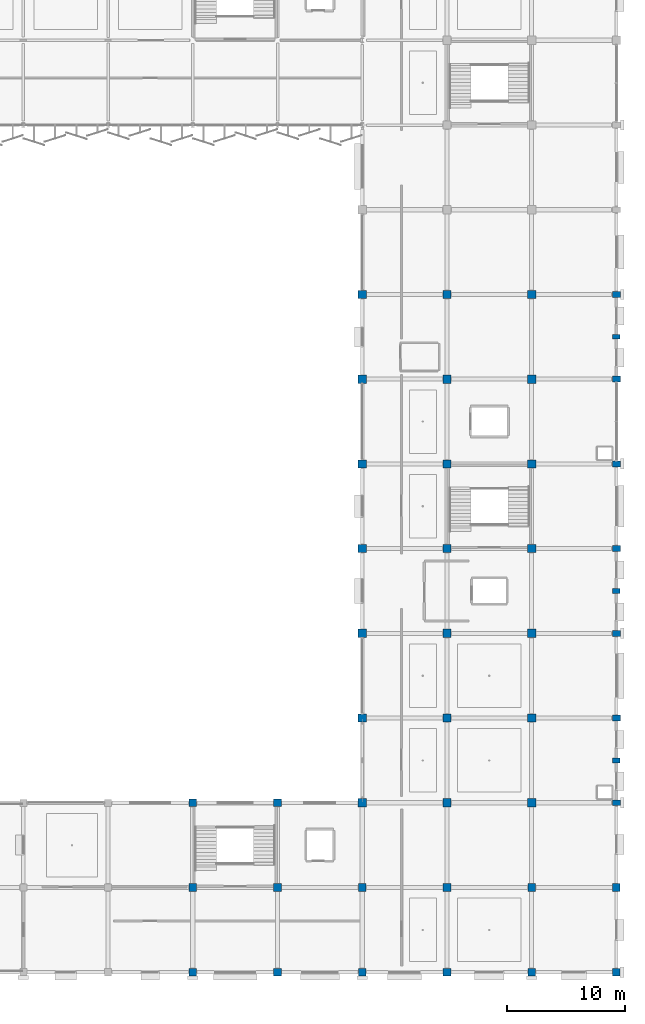
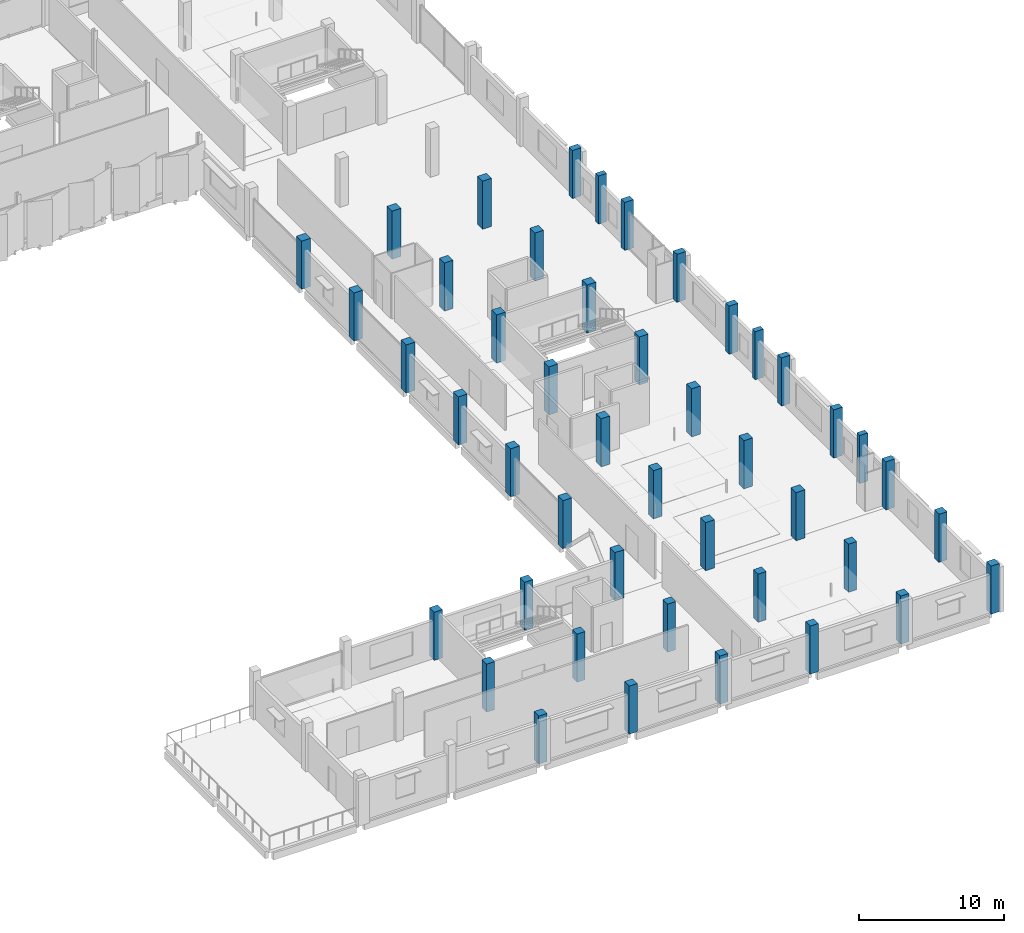
# One storey, part 4 of 91: 45 columns.
"""IFC4 building model written with IfcOpenShell, lengths in metres."""

from ifc_helpers import new_model, si_unit, direction, frame, origin, origin_2d, place, context, subcontext, project, spatial, rectangle, extrude, material, material_profile, profile_set, type_object, element, save


model = new_model("IFC4")

# Units and contexts
model_context = context("Model", 3, precision=1e-05, world=origin(), true_north=direction((0.0, 1.0)))
body_context = subcontext(model_context, "Body", "Model", "MODEL_VIEW")
ifc_project = project(units=[si_unit("LENGTHUNIT", "METRE"), si_unit("AREAUNIT", "SQUARE_METRE"), si_unit("VOLUMEUNIT", "CUBIC_METRE"), si_unit("PLANEANGLEUNIT", "RADIAN"), si_unit("MASSUNIT", "GRAM", prefix="KILO")], contexts=[model_context])

# Site, building, storey
site_placement = place(None, origin())
site = spatial("IfcSite", under=ifc_project, at=site_placement, CompositionType="ELEMENT")
building_placement = place(site_placement, origin())
building = spatial("IfcBuilding", under=site, at=building_placement, Name="Kangsadwip Square Police Headquarters", CompositionType="ELEMENT")
storey_placement = place(building_placement, frame((0.0, 0.0, 13.5)))
storey = spatial("IfcBuildingStorey", under=building, at=storey_placement, Name="L03", CompositionType="ELEMENT", Elevation=13.5)

# Columns
ifc_material_1 = material(Name="Concrete M40 (40 MPa)", Category="concrete")
ifc_material_profile_1 = material_profile(ifc_material_1, rectangle(XDim=0.64990234375, YDim=0.64990234375, at=origin_2d()), Name="RC COL 650X650")
ifc_profile_set_1 = profile_set([ifc_material_profile_1], Name="Concrete M40 (40 MPa)")
column_type_1 = type_object("IfcColumnType", Name="RcCol650x650", PredefinedType="COLUMN", material=ifc_profile_set_1)
for number, where, z_axis, x_axis, name in (
    (1, (129.60009765625, 21.60009765625, 0.0), (0.0, 0.0, 1.0), (1.0, 0.0, 0.0), "Column COL-L03-18-03"),
    (2, (129.60009765625, 28.800048828125, 0.0), (0.0, 0.0, 1.0), (1.0, 0.0, 0.0), "Column COL-L03-18-04"),
    (3, (129.60009765625, 36.0, 0.0), (0.0, 0.0, 1.0), (1.0, 0.0, 0.0), "Column COL-L03-18-05"),
    (4, (136.800048828125, 21.60009765625, 0.0), (0.0, 0.0, 1.0), (1.0, 0.0, 0.0), "Column COL-L03-19-03"),
    (5, (136.800048828125, 28.800048828125, 0.0), (0.0, 0.0, 1.0), (1.0, 0.0, 0.0), "Column COL-L03-19-04"),
    (6, (136.800048828125, 36.0, 0.0), (0.0, 0.0, 1.0), (1.0, 0.0, 0.0), "Column COL-L03-19-05"),
    (7, (144.0, 21.60009765625, 0.0), (0.0, 0.0, 1.0), (1.0, 0.0, 0.0), "Column COL-L03-20-03"),
    (8, (144.0, 28.800048828125, 0.0), (0.0, 0.0, 1.0), (1.0, 0.0, 0.0), "Column COL-L03-20-04"),
    (9, (151.199951171875, 21.60009765625, 0.0), (0.0, 0.0, 1.0), (1.0, 0.0, 0.0), "Column COL-L03-21-03"),
    (10, (151.199951171875, 28.800048828125, 0.0), (0.0, 0.0, 1.0), (1.0, 0.0, 0.0), "Column COL-L03-21-04"),
    (11, (158.39990234375, 21.60009765625, 0.0), (0.0, 0.0, 1.0), (1.0, 0.0, 0.0), "Column COL-L03-22-03"),
    (12, (158.39990234375, 28.800048828125, 0.0), (0.0, 0.0, 1.0), (1.0, 0.0, 0.0), "Column COL-L03-22-04"),
    (13, (165.60009765625, 21.60009765625, 0.0), (0.0, 0.0, 1.0), (1.0, 0.0, 0.0), "Column COL-L03-23-03"),
    (14, (165.60009765625, 28.800048828125, 0.0), (0.0, 0.0, 1.0), (1.0, 0.0, 0.0), "Column COL-L03-23-04"),
):
    element("IfcColumn", number, at=place(storey_placement, frame(where, z_axis=z_axis, x_axis=x_axis)), inside=storey, type_object=column_type_1, Name=name, PredefinedType="COLUMN", context=body_context, shape_type="SweptSolid", body=[
        extrude(rectangle(XDim=0.64990234375, YDim=0.64990234375, at=origin_2d()), origin(), (0.0, 0.0, 1.0), 4.050048828125),
    ])
ifc_material_2 = material(Name="Concrete M35 (35 MPa)", Category="concrete")
ifc_material_profile_2 = material_profile(ifc_material_2, rectangle(XDim=0.5, YDim=0.699951171875, at=origin_2d()), Name="RC COL 700X500")
ifc_profile_set_2 = profile_set([ifc_material_profile_2], Name="Concrete M35 (35 MPa)")
column_type_2 = type_object("IfcColumnType", Name="RcCol700x500", PredefinedType="COLUMN", material=ifc_profile_set_2)
for number, where, z_axis, x_axis, name in (
    (15, (165.60009765625, 36.0, 0.0), (0.0, 0.0, 1.0), (0.0, 1.0, 0.0), "Column COL-L03-23-05"),
    (16, (165.60009765625, 43.199951171875, 0.0), (0.0, 0.0, 1.0), (0.0, 1.0, 0.0), "Column COL-L03-23-06"),
    (17, (165.60009765625, 50.39990234375, 0.0), (0.0, 0.0, 1.0), (0.0, 1.0, 0.0), "Column COL-L03-23-07"),
    (18, (165.60009765625, 57.60009765625, 0.0), (0.0, 0.0, 1.0), (0.0, 1.0, 0.0), "Column COL-L03-23-08"),
    (19, (165.60009765625, 64.800048828125, 0.0), (0.0, 0.0, 1.0), (0.0, 1.0, 0.0), "Column COL-L03-23-09"),
    (20, (165.60009765625, 72.0, 0.0), (0.0, 0.0, 1.0), (0.0, 1.0, 0.0), "Column COL-L03-23-10"),
    (21, (165.60009765625, 79.199951171875, 0.0), (0.0, 0.0, 1.0), (0.0, 1.0, 0.0), "Column COL-L03-23-11"),
):
    element("IfcColumn", number, at=place(storey_placement, frame(where, z_axis=z_axis, x_axis=x_axis)), inside=storey, type_object=column_type_2, Name=name, PredefinedType="COLUMN", context=body_context, shape_type="SweptSolid", body=[
        extrude(rectangle(XDim=0.5, YDim=0.699951171875, at=origin_2d()), origin(), (0.0, 0.0, 1.0), 4.050048828125),
    ])
ifc_material_3 = material(Name="Concrete M40 (40 MPa)", Category="concrete")
ifc_material_profile_3 = material_profile(ifc_material_3, rectangle(XDim=0.699951171875, YDim=0.699951171875, at=origin_2d()), Name="RC COL 700X700")
ifc_profile_set_3 = profile_set([ifc_material_profile_3], Name="Concrete M40 (40 MPa)")
column_type_3 = type_object("IfcColumnType", Name="RcCol700x700", PredefinedType="COLUMN", material=ifc_profile_set_3)
for number, where, z_axis, x_axis, name in (
    (22, (144.0, 36.0, 0.0), (0.0, 0.0, 1.0), (1.0, 0.0, 0.0), "Column COL-L03-20-05"),
    (23, (144.0, 43.199951171875, 0.0), (0.0, 0.0, 1.0), (1.0, 0.0, 0.0), "Column COL-L03-20-06"),
    (24, (144.0, 50.39990234375, 0.0), (0.0, 0.0, 1.0), (1.0, 0.0, 0.0), "Column COL-L03-20-07"),
    (25, (144.0, 57.60009765625, 0.0), (0.0, 0.0, 1.0), (1.0, 0.0, 0.0), "Column COL-L03-20-08"),
    (26, (144.0, 64.800048828125, 0.0), (0.0, 0.0, 1.0), (1.0, 0.0, 0.0), "Column COL-L03-20-09"),
    (27, (144.0, 72.0, 0.0), (0.0, 0.0, 1.0), (1.0, 0.0, 0.0), "Column COL-L03-20-10"),
    (28, (144.0, 79.199951171875, 0.0), (0.0, 0.0, 1.0), (1.0, 0.0, 0.0), "Column COL-L03-20-11"),
    (29, (151.199951171875, 36.0, 0.0), (0.0, 0.0, 1.0), (1.0, 0.0, 0.0), "Column COL-L03-21-05"),
    (30, (151.199951171875, 43.199951171875, 0.0), (0.0, 0.0, 1.0), (1.0, 0.0, 0.0), "Column COL-L03-21-06"),
    (31, (151.199951171875, 50.39990234375, 0.0), (0.0, 0.0, 1.0), (1.0, 0.0, 0.0), "Column COL-L03-21-07"),
    (32, (151.199951171875, 57.60009765625, 0.0), (0.0, 0.0, 1.0), (1.0, 0.0, 0.0), "Column COL-L03-21-08"),
    (33, (151.199951171875, 64.800048828125, 0.0), (0.0, 0.0, 1.0), (1.0, 0.0, 0.0), "Column COL-L03-21-09"),
    (34, (151.199951171875, 72.0, 0.0), (0.0, 0.0, 1.0), (1.0, 0.0, 0.0), "Column COL-L03-21-10"),
    (35, (151.199951171875, 79.199951171875, 0.0), (0.0, 0.0, 1.0), (1.0, 0.0, 0.0), "Column COL-L03-21-11"),
    (36, (158.39990234375, 36.0, 0.0), (0.0, 0.0, 1.0), (1.0, 0.0, 0.0), "Column COL-L03-22-05"),
    (37, (158.39990234375, 43.199951171875, 0.0), (0.0, 0.0, 1.0), (1.0, 0.0, 0.0), "Column COL-L03-22-06"),
    (38, (158.39990234375, 50.39990234375, 0.0), (0.0, 0.0, 1.0), (1.0, 0.0, 0.0), "Column COL-L03-22-07"),
    (39, (158.39990234375, 57.60009765625, 0.0), (0.0, 0.0, 1.0), (1.0, 0.0, 0.0), "Column COL-L03-22-08"),
    (40, (158.39990234375, 64.800048828125, 0.0), (0.0, 0.0, 1.0), (1.0, 0.0, 0.0), "Column COL-L03-22-09"),
    (41, (158.39990234375, 72.0, 0.0), (0.0, 0.0, 1.0), (1.0, 0.0, 0.0), "Column COL-L03-22-10"),
    (42, (158.39990234375, 79.199951171875, 0.0), (0.0, 0.0, 1.0), (1.0, 0.0, 0.0), "Column COL-L03-22-11"),
):
    element("IfcColumn", number, at=place(storey_placement, frame(where, z_axis=z_axis, x_axis=x_axis)), inside=storey, type_object=column_type_3, Name=name, PredefinedType="COLUMN", context=body_context, shape_type="SweptSolid", body=[
        extrude(rectangle(XDim=0.699951171875, YDim=0.699951171875, at=origin_2d()), origin(), (0.0, 0.0, 1.0), 4.050048828125),
    ])
ifc_material_4 = material(Name="Concrete M40 (40 MPa)", Category="concrete")
ifc_material_profile_4 = material_profile(ifc_material_4, rectangle(XDim=0.39990234375, YDim=0.64990234375, at=origin_2d()), Name="RC PIL 650X400")
ifc_profile_set_4 = profile_set([ifc_material_profile_4], Name="Concrete M40 (40 MPa)")
column_type_4 = type_object("IfcColumnType", Name="RcPil650x400", PredefinedType="PILASTER", material=ifc_profile_set_4)
for number, where, z_axis, x_axis, name in (
    (43, (165.60009765625, 39.60009765625, 0.0), (0.0, 0.0, 1.0), (0.0, 1.0, 0.0), "Colonnade Pilaster PIL-L03-032"),
    (44, (165.60009765625, 54.0, 0.0), (0.0, 0.0, 1.0), (0.0, 1.0, 0.0), "Colonnade Pilaster PIL-L03-040"),
    (45, (165.60009765625, 75.60009765625, 0.0), (0.0, 0.0, 1.0), (0.0, 1.0, 0.0), "Colonnade Pilaster PIL-L03-048"),
):
    element("IfcColumn", number, at=place(storey_placement, frame(where, z_axis=z_axis, x_axis=x_axis)), inside=storey, type_object=column_type_4, Name=name, PredefinedType="PILASTER", context=body_context, shape_type="SweptSolid", body=[
        extrude(rectangle(XDim=0.39990234375, YDim=0.64990234375, at=origin_2d()), origin(), (0.0, 0.0, 1.0), 4.050048828125),
    ])

save(model, "model.ifc")
